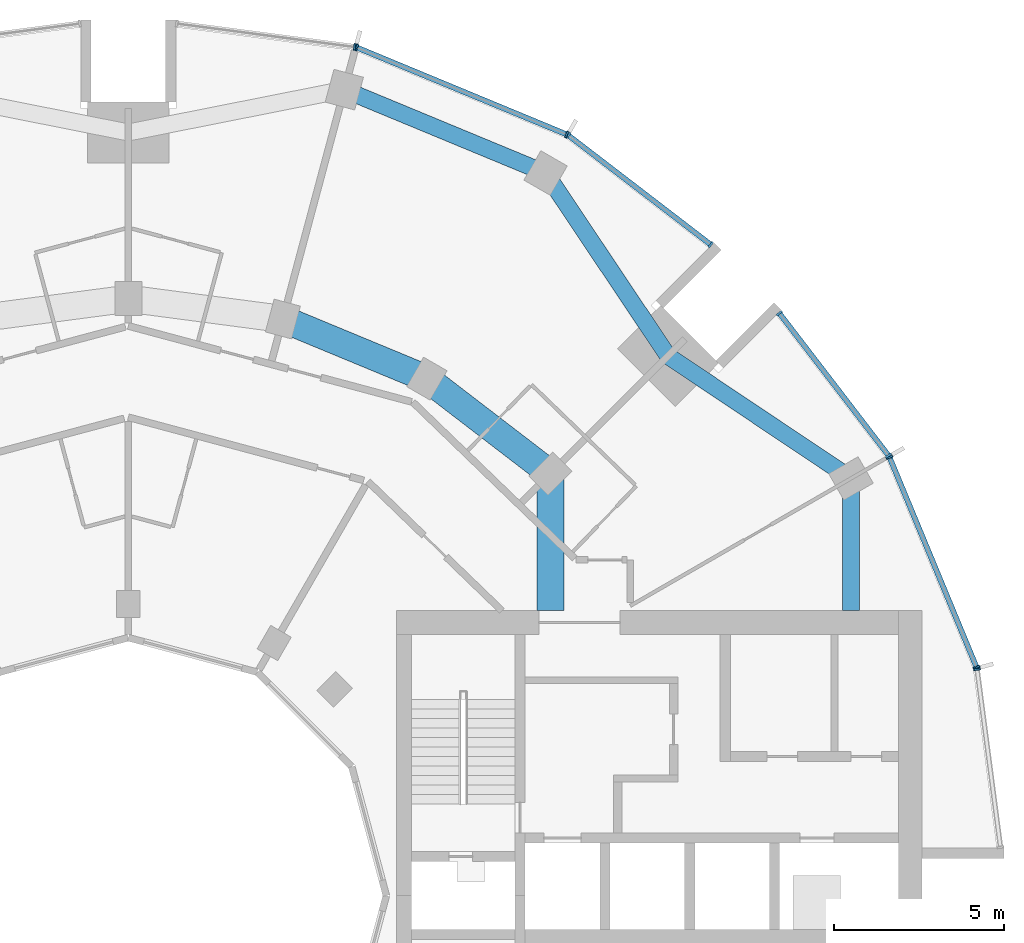
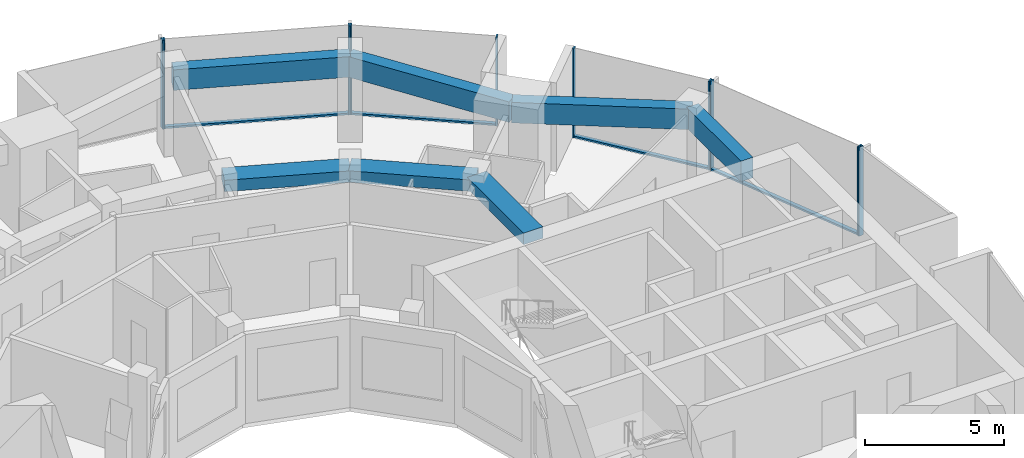
# One storey, part 6 of 15: 14 members, 7 beams, 6 elements without a shape of their own.
"""IFC4 building model written with IfcOpenShell, lengths in metres."""

from ifc_helpers import new_model, si_unit, direction, frame, origin, origin_2d, place, context, subcontext, project, spatial, rectangle, extrude, material, layer, layer_set, material_profile, profile_set, type_object, element, aggregate, save


model = new_model("IFC4")

# Units and contexts
model_context = context("Model", 3, precision=1e-05, world=origin(), true_north=direction((0.0, 1.0)))
body_context = subcontext(model_context, "Body", "Model", "MODEL_VIEW")
ifc_project = project(units=[si_unit("LENGTHUNIT", "METRE"), si_unit("AREAUNIT", "SQUARE_METRE"), si_unit("VOLUMEUNIT", "CUBIC_METRE"), si_unit("PLANEANGLEUNIT", "RADIAN"), si_unit("MASSUNIT", "GRAM", prefix="KILO")], contexts=[model_context])

# Site, building, storey
site_placement = place(None, origin())
site = spatial("IfcSite", under=ifc_project, at=site_placement, CompositionType="ELEMENT")
building_placement = place(site_placement, origin())
building = spatial("IfcBuilding", under=site, at=building_placement, Name="Torre Brocal", CompositionType="ELEMENT")
storey_placement = place(building_placement, frame((0.0, 0.0, 141.89990234375)))
storey = spatial("IfcBuildingStorey", under=building, at=storey_placement, Name="L33", CompositionType="ELEMENT", Elevation=141.89990234375)

# Curtain wall, members
ifc_material_1 = material(Name="Aluminium and glass", Category="aluminium")
ifc_layer_1 = layer(ifc_material_1, 0.199951171875)
ifc_layer_set_1 = layer_set([ifc_layer_1], Name="Aluminium and glass")
curtain_wall_type_1 = type_object("IfcCurtainWallType", Name="CW-1 CURTAIN WALL 3900 HIGH", PredefinedType="NOTDEFINED", material=ifc_layer_set_1)
curtain_wall_1_placement = place(storey_placement, origin())
curtain_wall_1 = element("IfcCurtainWall", 1, at=curtain_wall_1_placement, inside=storey, type_object=curtain_wall_type_1, Name="CW-1 RUN 2", PredefinedType="NOTDEFINED")
ifc_material_2 = material(Name="Aluminium, dark anodised", Category="aluminium")
ifc_material_profile_1 = material_profile(ifc_material_2, rectangle(XDim=0.199951171875, YDim=0.06005859375, at=origin_2d()), Name="CW-1 MULLION 60X200")
ifc_profile_set_1 = profile_set([ifc_material_profile_1], Name="Aluminium, dark anodised")
member_type_1 = type_object("IfcMemberType", Name="CW-1 MULLION 60X200", PredefinedType="MULLION", material=ifc_profile_set_1)
member_1_placement = place(storey_placement, frame((105.005126953125, 81.73095703125, 0.0), z_axis=(0.0, 0.0, 1.0), x_axis=(-0.923879532525, -0.382683432333, 0.0)))
member_1 = element("IfcMember", 2, at=member_1_placement, type_object=member_type_1, Name="CW1-3 mullion 1", PredefinedType="MULLION", context=body_context, shape_type="SweptSolid", body=[
    extrude(rectangle(XDim=0.199951171875, YDim=0.06005859375, at=origin_2d()), origin(), (0.0, 0.0, 1.0), 3.900146484375),
])
member_2_placement = place(storey_placement, frame((102.440673828125, 87.921875, 0.0), z_axis=(0.0, 0.0, 1.0), x_axis=(-0.923879532525, -0.382683432333, 0.0)))
member_2 = element("IfcMember", 3, at=member_2_placement, type_object=member_type_1, Name="CW1-3 mullion 2", PredefinedType="MULLION", context=body_context, shape_type="SweptSolid", body=[
    extrude(rectangle(XDim=0.199951171875, YDim=0.06005859375, at=origin_2d()), origin(), (0.0, 0.0, 1.0), 3.900146484375),
])

curtain_wall_2_placement = place(storey_placement, origin())
curtain_wall_2 = element("IfcCurtainWall", 4, at=curtain_wall_2_placement, inside=storey, type_object=curtain_wall_type_1, Name="CW-1 RUN 3", PredefinedType="NOTDEFINED")
member_3_placement = place(storey_placement, frame((102.4111328125, 87.973388671875, 0.0), z_axis=(0.0, 0.0, 1.0), x_axis=(-0.793353340259, -0.60876142905, 0.0)))
member_3 = element("IfcMember", 5, at=member_3_placement, type_object=member_type_1, Name="CW1-3 mullion 1", PredefinedType="MULLION", context=body_context, shape_type="SweptSolid", body=[
    extrude(rectangle(XDim=0.199951171875, YDim=0.06005859375, at=origin_2d()), origin(), (0.0, 0.0, 1.0), 3.900146484375),
])
member_4_placement = place(storey_placement, frame((99.19140625, 92.16943359375, 0.0), z_axis=(0.0, 0.0, 1.0), x_axis=(-0.793353340259, -0.60876142905, 0.0)))
member_4 = element("IfcMember", 6, at=member_4_placement, type_object=member_type_1, Name="CW1-3 mullion 2", PredefinedType="MULLION", context=body_context, shape_type="SweptSolid", body=[
    extrude(rectangle(XDim=0.199951171875, YDim=0.06005859375, at=origin_2d()), origin(), (0.0, 0.0, 1.0), 3.900146484375),
])

curtain_wall_3_placement = place(storey_placement, origin())
curtain_wall_3 = element("IfcCurtainWall", 7, at=curtain_wall_3_placement, inside=storey, type_object=curtain_wall_type_1, Name="CW-1 RUN 4", PredefinedType="NOTDEFINED")
member_5_placement = place(storey_placement, frame((97.16943359375, 94.19140625, 0.0), z_axis=(0.0, 0.0, 1.0), x_axis=(-0.60876142905, -0.793353340259, 0.0)))
member_5 = element("IfcMember", 8, at=member_5_placement, type_object=member_type_1, Name="CW1-3 mullion 1", PredefinedType="MULLION", context=body_context, shape_type="SweptSolid", body=[
    extrude(rectangle(XDim=0.199951171875, YDim=0.06005859375, at=origin_2d()), origin(), (0.0, 0.0, 1.0), 3.900146484375),
])
member_6_placement = place(storey_placement, frame((92.973388671875, 97.4111328125, 0.0), z_axis=(0.0, 0.0, 1.0), x_axis=(-0.60876142905, -0.793353340259, 0.0)))
member_6 = element("IfcMember", 9, at=member_6_placement, type_object=member_type_1, Name="CW1-3 mullion 2", PredefinedType="MULLION", context=body_context, shape_type="SweptSolid", body=[
    extrude(rectangle(XDim=0.199951171875, YDim=0.06005859375, at=origin_2d()), origin(), (0.0, 0.0, 1.0), 3.900146484375),
])

curtain_wall_4_placement = place(storey_placement, origin())
curtain_wall_4 = element("IfcCurtainWall", 10, at=curtain_wall_4_placement, inside=storey, type_object=curtain_wall_type_1, Name="CW-1 RUN 5", PredefinedType="NOTDEFINED")
member_7_placement = place(storey_placement, frame((92.921875, 97.440673828125, 0.0), z_axis=(0.0, 0.0, 1.0), x_axis=(-0.382683432333, -0.923879532525, 0.0)))
member_7 = element("IfcMember", 11, at=member_7_placement, type_object=member_type_1, Name="CW1-3 mullion 1", PredefinedType="MULLION", context=body_context, shape_type="SweptSolid", body=[
    extrude(rectangle(XDim=0.199951171875, YDim=0.06005859375, at=origin_2d()), origin(), (0.0, 0.0, 1.0), 3.900146484375),
])
member_8_placement = place(storey_placement, frame((86.73095703125, 100.005126953125, 0.0), z_axis=(0.0, 0.0, 1.0), x_axis=(-0.382683432333, -0.923879532525, 0.0)))
member_8 = element("IfcMember", 12, at=member_8_placement, type_object=member_type_1, Name="CW1-3 mullion 2", PredefinedType="MULLION", context=body_context, shape_type="SweptSolid", body=[
    extrude(rectangle(XDim=0.199951171875, YDim=0.06005859375, at=origin_2d()), origin(), (0.0, 0.0, 1.0), 3.900146484375),
])

# Curtain wall, member
curtain_wall_5_placement = place(storey_placement, origin())
curtain_wall_5 = element("IfcCurtainWall", 13, at=curtain_wall_5_placement, inside=storey, type_object=curtain_wall_type_1, Name="CW-1 RUN 6", PredefinedType="NOTDEFINED")
member_9_placement = place(storey_placement, frame((86.67333984375, 100.0205078125, 0.0), z_axis=(0.0, 0.0, 1.0), x_axis=(-0.13052619222, -0.991444861374, 0.0)))
member_9 = element("IfcMember", 14, at=member_9_placement, type_object=member_type_1, Name="CW1-3 mullion 1", PredefinedType="MULLION", context=body_context, shape_type="SweptSolid", body=[
    extrude(rectangle(XDim=0.199951171875, YDim=0.06005859375, at=origin_2d()), origin(), (0.0, 0.0, 1.0), 3.900146484375),
])
aggregate(curtain_wall_5, [member_9])

# Member
ifc_material_3 = material(Name="Aluminium, dark anodised", Category="aluminium")
ifc_material_profile_2 = material_profile(ifc_material_3, rectangle(XDim=0.159912109375, YDim=0.080078125, at=origin_2d()), Name="CW-1 TRANSOM 160X80")
ifc_profile_set_2 = profile_set([ifc_material_profile_2], Name="Aluminium, dark anodised")
member_type_2 = type_object("IfcMemberType", Name="CW-1 TRANSOM 160X80", PredefinedType="USERDEFINED", material=ifc_profile_set_2)
member_10_placement = place(storey_placement, frame((104.99365234375, 81.758544921875, 0.0400390625), z_axis=(-0.38266457234, 0.923887344364, 0.0), x_axis=(-0.923887344364, -0.38266457234, 0.0)))
member_10 = element("IfcMember", 15, at=member_10_placement, type_object=member_type_2, Name="CW1-3 transom 1.1", ObjectType="TRANSOM", PredefinedType="USERDEFINED", context=body_context, shape_type="SweptSolid", body=[
    extrude(rectangle(XDim=0.159912109375, YDim=0.080078125, at=origin_2d()), origin(), (0.0, 0.0, 1.0), 6.640869140625),
])

aggregate(curtain_wall_1, [member_1, member_2, member_10])

member_11_placement = place(storey_placement, frame((102.392822265625, 87.9970703125, 0.0400390625), z_axis=(-0.60874908096, 0.79336281513, 0.0), x_axis=(-0.79336281513, -0.60874908096, 0.0)))
member_11 = element("IfcMember", 16, at=member_11_placement, type_object=member_type_2, Name="CW1-3 transom 1.1", ObjectType="TRANSOM", PredefinedType="USERDEFINED", context=body_context, shape_type="SweptSolid", body=[
    extrude(rectangle(XDim=0.159912109375, YDim=0.080078125, at=origin_2d()), origin(), (0.0, 0.0, 1.0), 5.22900390625),
])

aggregate(curtain_wall_2, [member_3, member_4, member_11])

member_12_placement = place(storey_placement, frame((97.1455078125, 94.209716796875, 0.0400390625), z_axis=(-0.79336281513, 0.60874908096, 0.0), x_axis=(-0.60874908096, -0.79336281513, 0.0)))
member_12 = element("IfcMember", 17, at=member_12_placement, type_object=member_type_2, Name="CW1-3 transom 1.1", ObjectType="TRANSOM", PredefinedType="USERDEFINED", context=body_context, shape_type="SweptSolid", body=[
    extrude(rectangle(XDim=0.159912109375, YDim=0.080078125, at=origin_2d()), origin(), (0.0, 0.0, 1.0), 5.22900390625),
])

aggregate(curtain_wall_3, [member_5, member_6, member_12])

member_13_placement = place(storey_placement, frame((92.89404296875, 97.452392578125, 0.0400390625), z_axis=(-0.923887344364, 0.38266457234, 0.0), x_axis=(-0.38266457234, -0.923887344364, 0.0)))
member_13 = element("IfcMember", 18, at=member_13_placement, type_object=member_type_2, Name="CW1-3 transom 1.1", ObjectType="TRANSOM", PredefinedType="USERDEFINED", context=body_context, shape_type="SweptSolid", body=[
    extrude(rectangle(XDim=0.159912109375, YDim=0.080078125, at=origin_2d()), origin(), (0.0, 0.0, 1.0), 6.640869140625),
])

aggregate(curtain_wall_4, [member_7, member_8, member_13])

# Curtain wall, member
ifc_material_4 = material(Name="Aluminium and glass", Category="aluminium")
ifc_layer_2 = layer(ifc_material_4, 0.199951171875)
ifc_layer_set_2 = layer_set([ifc_layer_2], Name="Aluminium and glass")
curtain_wall_type_2 = type_object("IfcCurtainWallType", Name="CW-1B CURTAIN WALL 3900 HIGH", PredefinedType="NOTDEFINED", material=ifc_layer_set_2)
curtain_wall_6_placement = place(storey_placement, origin())
curtain_wall_6 = element("IfcCurtainWall", 19, at=curtain_wall_6_placement, inside=storey, type_object=curtain_wall_type_2, Name="CW-1B RUN 1", PredefinedType="NOTDEFINED")
ifc_material_5 = material(Name="Aluminium, dark anodised", Category="aluminium")
ifc_material_profile_3 = material_profile(ifc_material_5, rectangle(XDim=0.199951171875, YDim=0.06005859375, at=origin_2d()), Name="CW-1B MULLION 60X200")
ifc_profile_set_3 = profile_set([ifc_material_profile_3], Name="Aluminium, dark anodised")
member_type_3 = type_object("IfcMemberType", Name="CW-1B MULLION 60X200", PredefinedType="MULLION", material=ifc_profile_set_3)
member_14_placement = place(storey_placement, frame((105.0205078125, 81.67333984375, 0.0), z_axis=(0.0, 0.0, 1.0), x_axis=(-0.991444861374, -0.13052619222, 0.0)))
member_14 = element("IfcMember", 20, at=member_14_placement, type_object=member_type_3, Name="CW1B-3 mullion 2", PredefinedType="MULLION", context=body_context, shape_type="SweptSolid", body=[
    extrude(rectangle(XDim=0.199951171875, YDim=0.06005859375, at=origin_2d()), origin(), (0.0, 0.0, 1.0), 3.900146484375),
])
aggregate(curtain_wall_6, [member_14])

# Beams
ifc_material_6 = material(Name="Concrete C50", Category="concrete")
ifc_material_profile_4 = material_profile(ifc_material_6, rectangle(XDim=0.800048828125, YDim=0.5, at=origin_2d()), Name="RC 800X500")
ifc_profile_set_4 = profile_set([ifc_material_profile_4], Name="Concrete C50")
beam_type_1 = type_object("IfcBeamType", Name="RC BEAM 800X500 C50 TOP 3580", PredefinedType="BEAM", material=ifc_profile_set_4)
beam_1_placement = place(storey_placement, frame((92.445068359375, 87.445068359375, 3.330078125), z_axis=(-0.793358265959, 0.6087550097, 0.0), x_axis=(-0.6087550097, -0.793358265959, 0.0)))
element("IfcBeam", 21, at=beam_1_placement, inside=storey, type_object=beam_type_1, Name="Beam BT-28", PredefinedType="BEAM", context=body_context, shape_type="SweptSolid", body=[
    extrude(rectangle(XDim=0.800048828125, YDim=0.5, at=origin_2d()), origin(), (0.0, 0.0, 1.0), 4.594482421875),
])
beam_2_placement = place(storey_placement, frame((88.800048828125, 90.241943359375, 3.330078125), z_axis=(-0.923878240166, 0.382686552348, 0.0), x_axis=(-0.382686552348, -0.923878240166, 0.0)))
element("IfcBeam", 22, at=beam_2_placement, inside=storey, type_object=beam_type_1, Name="Beam BT-28", PredefinedType="BEAM", context=body_context, shape_type="SweptSolid", body=[
    extrude(rectangle(XDim=0.800048828125, YDim=0.5, at=origin_2d()), origin(), (0.0, 0.0, 1.0), 4.5947265625),
])
beam_3_placement = place(storey_placement, frame((92.445068359375, 87.445068359375, 3.330078125), z_axis=(0.0, -1.0, 0.0), x_axis=(1.0, 0.0, 0.0)))
element("IfcBeam", 23, at=beam_3_placement, inside=storey, type_object=beam_type_1, Name="Beam BT-28", PredefinedType="BEAM", context=body_context, shape_type="SweptSolid", body=[
    extrude(rectangle(XDim=0.800048828125, YDim=0.5, at=origin_2d()), origin(), (0.0, 0.0, 1.0), 4.045166015625),
])
ifc_material_7 = material(Name="Concrete C50", Category="concrete")
ifc_material_profile_5 = material_profile(ifc_material_7, rectangle(XDim=0.5, YDim=0.89990234375, at=origin_2d()), Name="RC 500X900")
ifc_profile_set_5 = profile_set([ifc_material_profile_5], Name="Concrete C50")
beam_type_2 = type_object("IfcBeamType", Name="RC SPANDREL BEAM 500X900 C50 TOP 3580", PredefinedType="SPANDREL", material=ifc_profile_set_5)
for number, where, z_axis, x_axis, name in (
    (24, (101.30419921875, 87.300048828125, 3.130126953125), (-0.831076844476, 0.556157602282, 0.0), (-0.556157602282, -0.831076844476, 0.0), "Beam BT-29"),
    (25, (95.909912109375, 90.909912109375, 3.130126953125), (-0.556157602282, 0.831076844476, 0.0), (-0.831076844476, -0.556157602282, 0.0), "Beam BT-29"),
):
    element("IfcBeam", number, at=place(storey_placement, frame(where, z_axis=z_axis, x_axis=x_axis)), inside=storey, type_object=beam_type_2, Name=name, PredefinedType="SPANDREL", context=body_context, shape_type="SweptSolid", body=[
        extrude(rectangle(XDim=0.5, YDim=0.89990234375, at=origin_2d()), origin(), (0.0, 0.0, 1.0), 6.49072265625),
    ])
beam_4_placement = place(storey_placement, frame((92.300048828125, 96.30419921875, 3.130126953125), z_axis=(-0.923882462513, 0.382676358639, 0.0), x_axis=(-0.382676358639, -0.923882462513, 0.0)))
element("IfcBeam", 26, at=beam_4_placement, inside=storey, type_object=beam_type_2, Name="Beam BT-29", PredefinedType="SPANDREL", context=body_context, shape_type="SweptSolid", body=[
    extrude(rectangle(XDim=0.5, YDim=0.89990234375, at=origin_2d()), origin(), (0.0, 0.0, 1.0), 6.421875),
])
beam_5_placement = place(storey_placement, frame((101.30419921875, 87.300048828125, 3.130126953125), z_axis=(0.0, -1.0, 0.0), x_axis=(1.0, 0.0, 0.0)))
element("IfcBeam", 27, at=beam_5_placement, inside=storey, type_object=beam_type_2, Name="Beam BT-29", PredefinedType="SPANDREL", context=body_context, shape_type="SweptSolid", body=[
    extrude(rectangle(XDim=0.5, YDim=0.89990234375, at=origin_2d()), origin(), (0.0, 0.0, 1.0), 3.900146484375),
])

save(model, "model.ifc")
